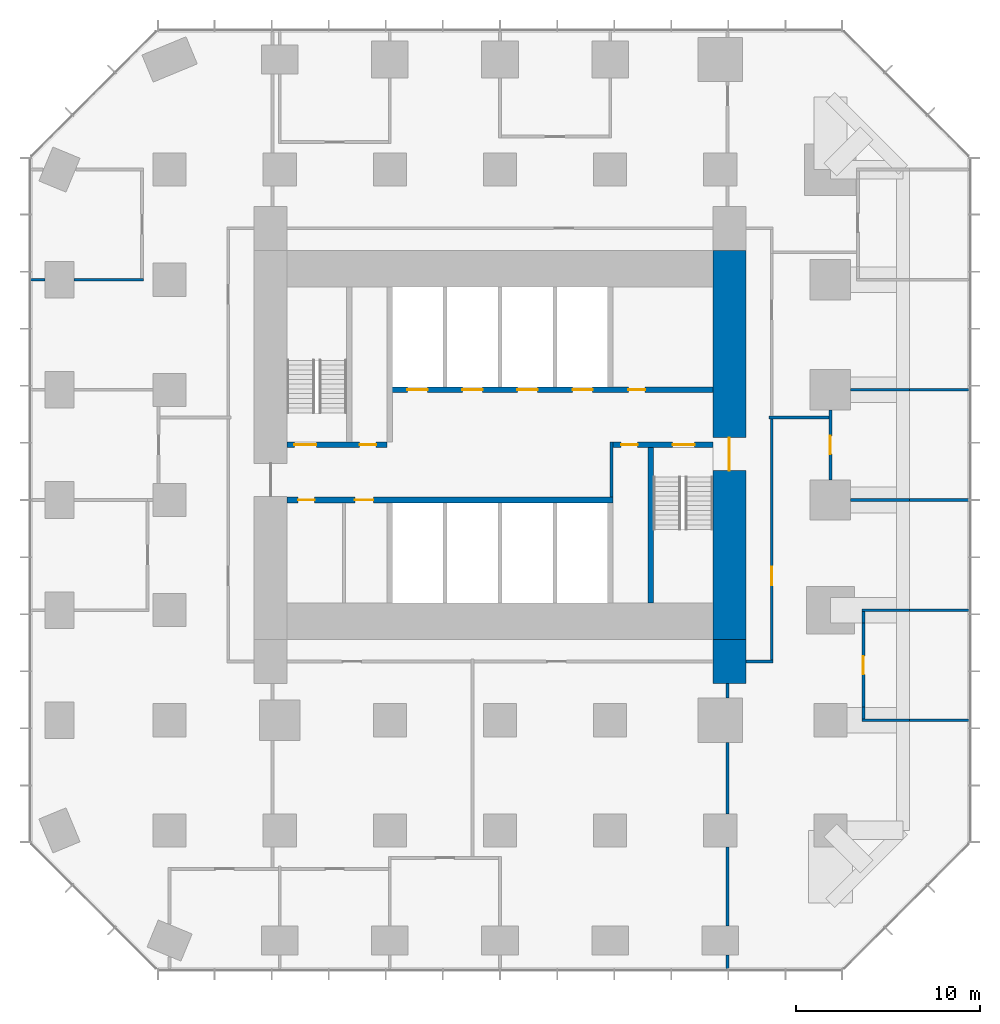
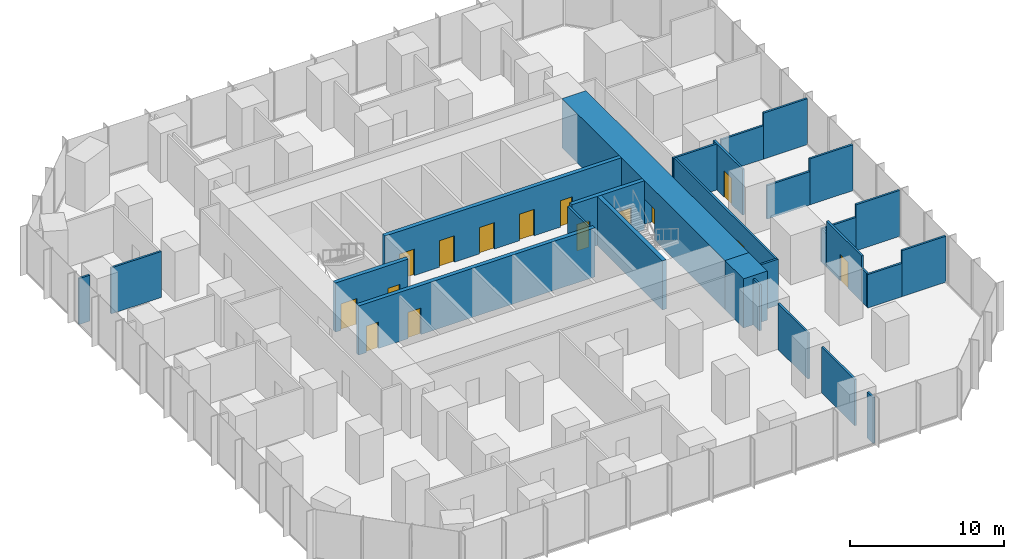
# One storey, part 9 of 12: 29 walls, 15 doors, 15 openings.
"""IFC4 building model written with IfcOpenShell, lengths in metres."""

import ifcopenshell
import ifcopenshell.guid

model = None  # the IFC model being written
_history = None  # IfcOwnerHistory: only IFC2X3 demands one
_inside = {}  # id of a spatial element -> (the spatial element, [elements in it])
_under = {}  # id of a project, library or spatial element -> (it, [spatial elements below it])
_declared = {}  # id of a project -> (the project, [libraries it declares])
_typed = {}  # id of a type object -> (the type object, [elements of that type])
_made_of = {}  # id of a material, layer set ... -> (it, [elements and type objects made of it])


def new_model(schema):
    """Start an empty IFC model of exactly this schema.

    Asked for "IFC4X3", IfcOpenShell would pick the latest addendum, in which some entities
    have other attributes; the version numbers below select the first issue.
    IFC2X3 requires an IfcOwnerHistory on every rooted entity: one is made here for all.
    """
    global model, _history
    if schema == "IFC4X3":
        model = ifcopenshell.file(schema_version=(4, 3, 0, 0))
    else:
        model = ifcopenshell.file(schema=schema)
    _inside.clear()
    _under.clear()
    _declared.clear()
    _typed.clear()
    _made_of.clear()
    _history = None
    if model.schema == "IFC2X3":
        org = make("IfcOrganization", Name="unknown")
        user = make(
            "IfcPersonAndOrganization",
            ThePerson=make("IfcPerson", FamilyName="unknown"),
            TheOrganization=org,
        )
        app = make(
            "IfcApplication",
            ApplicationDeveloper=org,
            Version="unknown",
            ApplicationFullName="unknown",
            ApplicationIdentifier="unknown",
        )
        _history = make(
            "IfcOwnerHistory",
            OwningUser=user,
            OwningApplication=app,
            ChangeAction="ADDED",
            CreationDate=0,
        )
    return model


def make(cls, **values):
    """One entity of the class cls with the attributes given. An attribute that is None is left unset."""
    return model.create_entity(
        cls, **{name: value for name, value in values.items() if value is not None}
    )


def rooted(cls, **values):
    """An entity with a GlobalId (a new one), such as an element, a storey or a relation."""
    return make(cls, GlobalId=ifcopenshell.guid.new(), OwnerHistory=_history, **values)


def si_unit(unit_type, name, prefix=None):
    """IfcSIUnit, for example si_unit("LENGTHUNIT", "METRE", prefix="MILLI")."""
    return make("IfcSIUnit", UnitType=unit_type, Prefix=prefix, Name=name)


def assignment(units):
    """IfcUnitAssignment: the units of a project."""
    return None if units is None else make("IfcUnitAssignment", Units=units)


def point(xyz):
    """IfcCartesianPoint."""
    return None if xyz is None else make("IfcCartesianPoint", Coordinates=xyz)


def direction(xyz):
    """IfcDirection."""
    return None if xyz is None else make("IfcDirection", DirectionRatios=xyz)


def frame(location, z_axis=None, x_axis=None):
    """IfcAxis2Placement3D, a coordinate frame: its origin and axes. An axis left out is left unset."""
    return make(
        "IfcAxis2Placement3D",
        Location=point(location),
        Axis=direction(z_axis),
        RefDirection=direction(x_axis),
    )


def frame_2d(location, x_axis=None):
    """IfcAxis2Placement2D, a coordinate frame in the plane: its origin and x axis."""
    return make(
        "IfcAxis2Placement2D", Location=point(location), RefDirection=direction(x_axis)
    )


def origin():
    """The frame at (0, 0, 0) with its axes left unset."""
    return frame((0.0, 0.0, 0.0))


def place(relative_to, where):
    """IfcLocalPlacement: puts the frame where relative to a parent placement (None: the world)."""
    return make(
        "IfcLocalPlacement", PlacementRelTo=relative_to, RelativePlacement=where
    )


def context(
    kind, dimensions, precision=None, world=None, true_north=None, identifier=None
):
    """IfcGeometricRepresentationContext, for example the 3D "Model" context."""
    return make(
        "IfcGeometricRepresentationContext",
        ContextIdentifier=identifier,
        ContextType=kind,
        CoordinateSpaceDimension=dimensions,
        Precision=precision,
        WorldCoordinateSystem=world,
        TrueNorth=true_north,
    )


def subcontext(parent, identifier, kind, view, scale=None):
    """IfcGeometricRepresentationSubContext, for example "Body" below "Model"."""
    return make(
        "IfcGeometricRepresentationSubContext",
        ContextIdentifier=identifier,
        ContextType=kind,
        ParentContext=parent,
        TargetScale=scale,
        TargetView=view,
    )


def project(units=None, contexts=None):
    """IfcProject with its units and contexts."""
    return rooted(
        "IfcProject",
        Name="project",
        RepresentationContexts=contexts,
        UnitsInContext=assignment(units),
    )


def spatial(cls, under=None, at=None, **own):
    """A site, building, storey or space (cls), placed at a placement, below another one or the project."""
    s = rooted(cls, ObjectPlacement=at, **own)
    if under is not None:
        _under.setdefault(under.id(), (under, []))[1].append(s)
    return s


def profile(cls, at=None, kind="AREA", **sizes):
    """A parametric profile (cls). Its sizes go by their IFC names, for example OverallWidth=200.0."""
    return make(cls, ProfileType=kind, Position=at, **sizes)


def rectangle(**sizes):
    """IfcRectangleProfileDef."""
    return profile("IfcRectangleProfileDef", **sizes)


def extrude(swept, where, along, depth):
    """IfcExtrudedAreaSolid: the profile swept, set in the frame where, extruded along a direction by depth."""
    return make(
        "IfcExtrudedAreaSolid",
        SweptArea=swept,
        Position=where,
        ExtrudedDirection=direction(along),
        Depth=depth,
    )


def shape(context_of_items, identifier, shape_type, items):
    """IfcShapeRepresentation: the items that make up one representation, for example the "Body"."""
    return make(
        "IfcShapeRepresentation",
        ContextOfItems=context_of_items,
        RepresentationIdentifier=identifier,
        RepresentationType=shape_type,
        Items=items,
    )


def material(Name=None, Category=None):
    """IfcMaterial."""
    return make("IfcMaterial", Name=Name, Category=Category)


def layer(
    of_material, thickness, ventilated=None, Name=None, Category=None, Priority=None
):
    """IfcMaterialLayer: one layer of a wall or slab, of a material (None: an air gap)."""
    return make(
        "IfcMaterialLayer",
        Material=of_material,
        LayerThickness=thickness,
        IsVentilated=ventilated,
        Name=Name,
        Category=Category,
        Priority=Priority,
    )


def layer_set(layers, Name=None):
    """IfcMaterialLayerSet."""
    return make("IfcMaterialLayerSet", MaterialLayers=layers, LayerSetName=Name)


def made_of(thing, what):
    """Note that an element or type object is made of a material, layer set ...; save() writes the relation."""
    if what is not None:
        _made_of.setdefault(what.id(), (what, []))[1].append(thing)
    return thing


def type_object(cls, material=None, **own):
    """A type object (cls), such as IfcWallType, which elements share."""
    return made_of(rooted(cls, **own), material)


def element(
    cls,
    number,
    at=None,
    inside=None,
    cuts=None,
    type_object=None,
    material=None,
    context=None,
    identifier="Body",
    shape_type=None,
    held_by="IfcProductDefinitionShape",
    body=None,
    shapes=None,
    **own,
):
    """One element of the class cls, such as IfcWall. Its Tag is "e" and its number.

    at: its placement. inside: the storey or other place that contains it. cuts: it is an
    opening in that element (IfcRelVoidsElement). A single representation is given by context,
    identifier, shape_type and body (its items); several are given by shapes. held_by: the class
    of the entity that holds the representations. save() writes the other relations.
    """
    e = rooted(cls, Tag="e%d" % number, ObjectPlacement=at, **own)
    if body is not None:
        shapes = [shape(context, identifier, shape_type, body)]
    if shapes is not None:
        e.Representation = make(held_by, Representations=shapes)
    if inside is not None:
        _inside.setdefault(inside.id(), (inside, []))[1].append(e)
    if cuts is not None:
        rooted(
            "IfcRelVoidsElement", RelatingBuildingElement=cuts, RelatedOpeningElement=e
        )
    if type_object is not None:
        _typed.setdefault(type_object.id(), (type_object, []))[1].append(e)
    return made_of(e, material)


def fill(opening, filler):
    """IfcRelFillsElement: the door or window that sits in an opening."""
    return rooted(
        "IfcRelFillsElement",
        RelatingOpeningElement=opening,
        RelatedBuildingElement=filler,
    )


def aggregate(whole, parts):
    """IfcRelAggregates: a whole, such as a stair, and the parts it consists of."""
    return rooted("IfcRelAggregates", RelatingObject=whole, RelatedObjects=parts)


def save(model, path):
    """Write the relations noted so far, then the file.

    IfcRelAggregates (storeys below a building ...), IfcRelContainedInSpatialStructure (elements
    in a storey), IfcRelDefinesByType, IfcRelAssociatesMaterial and IfcRelDeclares: one each for
    every whole, place, type object, material and project.
    """
    for whole, parts in _under.values():
        aggregate(whole, parts)
    for where, things in _inside.values():
        rooted(
            "IfcRelContainedInSpatialStructure",
            RelatedElements=things,
            RelatingStructure=where,
        )
    for kind, things in _typed.values():
        rooted("IfcRelDefinesByType", RelatedObjects=things, RelatingType=kind)
    for what, things in _made_of.values():
        rooted("IfcRelAssociatesMaterial", RelatedObjects=things, RelatingMaterial=what)
    for by, libraries in _declared.values():
        rooted("IfcRelDeclares", RelatingContext=by, RelatedDefinitions=libraries)
    model.write(path)


model = new_model("IFC4")

# Units and contexts
model_context = context("Model", 3, precision=1e-05, world=origin(), true_north=direction((0.0, 1.0)))
body_context = subcontext(model_context, "Body", "Model", "MODEL_VIEW")
ifc_project = project(units=[si_unit("LENGTHUNIT", "METRE"), si_unit("AREAUNIT", "SQUARE_METRE"), si_unit("VOLUMEUNIT", "CUBIC_METRE"), si_unit("PLANEANGLEUNIT", "RADIAN"), si_unit("MASSUNIT", "GRAM", prefix="KILO")], contexts=[model_context])

# Site, building, storey
site_placement = place(None, origin())
site = spatial("IfcSite", under=ifc_project, at=site_placement, CompositionType="ELEMENT")
building_placement = place(site_placement, origin())
building = spatial("IfcBuilding", under=site, at=building_placement, Name="Highveld Stack Headquarters", CompositionType="ELEMENT")
storey_placement = place(building_placement, frame((0.0, 0.0, 45.5)))
storey = spatial("IfcBuildingStorey", under=building, at=storey_placement, Name="L10", CompositionType="ELEMENT", Elevation=45.5)

# Wall, opening, door
ifc_material_1 = material(Name="Concrete C60/75", Category="concrete")
ifc_layer_1 = layer(ifc_material_1, 1.800048828125)
ifc_layer_set_1 = layer_set([ifc_layer_1], Name="Concrete C60/75")
wall_type_1 = type_object("IfcWallType", Name="CORE WALL 1800 C60/75", PredefinedType="SHEAR", material=ifc_layer_set_1)
wall_1_placement = place(storey_placement, frame((18.5, -7.60009765625, 0.0), z_axis=(0.0, 0.0, 1.0), x_axis=(0.0, 1.0, 0.0)))
wall_1 = element("IfcWall", 1, at=wall_1_placement, inside=storey, type_object=wall_type_1, Name="Core wall E L10", PredefinedType="SHEAR", context=body_context, shape_type="SweptSolid", body=[
    extrude(rectangle(XDim=21.2001953125, YDim=1.800048828125, at=frame_2d((10.60009765625, 0.0))), origin(), (0.0, 0.0, 1.0), 3.89990234375),
])
opening_1_placement = place(wall_1_placement, frame((9.199951171875, 0.0, 0.0)))
opening_1 = element("IfcOpeningElement", 2, at=opening_1_placement, cuts=wall_1, Name="Opening L10-02", PredefinedType="OPENING", context=body_context, shape_type="SweptSolid", body=[
    extrude(rectangle(XDim=1.800048828125, YDim=2.39990234375, at=frame_2d((0.89990234375, 1.199951171875))), frame((0.0, 0.909912109375, 0.0), z_axis=(0.0, -1.0, 0.0), x_axis=(1.0, 0.0, 0.0)), (0.0, 0.0, 1.0), 1.820068359375),
])
ifc_material_2 = material(Name="Steel fire door", Category="steel")
door_type_1 = type_object("IfcDoorType", Name="LOBBY FIRE DOOR D4 1800x2400", OperationType="DOUBLE_DOOR_SINGLE_SWING", PredefinedType="DOOR", material=ifc_material_2)
door_1_placement = place(opening_1_placement, origin())
door_1 = element("IfcDoor", 3, at=door_1_placement, inside=storey, type_object=door_type_1, Name="Core east door L10", OperationType="DOUBLE_DOOR_SINGLE_SWING", OverallHeight=2.39990234375, OverallWidth=1.800048828125, PredefinedType="DOOR", context=body_context, shape_type="SweptSolid", body=[
    extrude(rectangle(XDim=1.800048828125, YDim=2.39990234375, at=frame_2d((0.89990234375, 1.199951171875))), frame((0.0, 0.02490234375, 0.0), z_axis=(0.0, -1.0, 0.0), x_axis=(1.0, 0.0, 0.0)), (0.0, 0.0, 1.0), 0.050048828125),
])
fill(opening_1, door_1)

# Wall, openings, doors
ifc_material_3 = material(Name="Concrete C60/75", Category="concrete")
ifc_layer_2 = layer(ifc_material_3, 0.300048828125)
ifc_layer_set_2 = layer_set([ifc_layer_2], Name="Concrete C60/75")
wall_type_2 = type_object("IfcWallType", Name="CORE WALL 300 C60/75", PredefinedType="SHEAR", material=ifc_layer_set_2)
wall_2_placement = place(storey_placement, frame((-5.60009765625, 0.0, 0.0), z_axis=(0.0, 0.0, 1.0), x_axis=(1.0, 0.0, 0.0)))
wall_2 = element("IfcWall", 4, at=wall_2_placement, inside=storey, type_object=wall_type_2, Name="Core wall I-Y0 L10", PredefinedType="SHEAR", context=body_context, shape_type="SweptSolid", body=[
    extrude(rectangle(XDim=17.75, YDim=0.300048828125, at=frame_2d((8.875, 0.0))), origin(), (0.0, 0.0, 1.0), 3.89990234375),
])
opening_2_placement = place(wall_2_placement, frame((0.60009765625, 0.0, 0.0)))
opening_2 = element("IfcOpeningElement", 5, at=opening_2_placement, cuts=wall_2, Name="Opening L10-07", PredefinedType="OPENING", context=body_context, shape_type="SweptSolid", body=[
    extrude(rectangle(XDim=0.89990234375, YDim=2.10009765625, at=frame_2d((0.449951171875, 1.050048828125))), frame((0.0, 0.159912109375, 0.0), z_axis=(0.0, -1.0, 0.0), x_axis=(1.0, 0.0, 0.0)), (0.0, 0.0, 1.0), 0.320068359375),
])
opening_3_placement = place(wall_2_placement, frame((3.699951171875, 0.0, 0.0)))
opening_3 = element("IfcOpeningElement", 6, at=opening_3_placement, cuts=wall_2, Name="Opening L10-08", PredefinedType="OPENING", context=body_context, shape_type="SweptSolid", body=[
    extrude(rectangle(XDim=1.0, YDim=2.10009765625, at=frame_2d((0.5, 1.050048828125))), frame((0.0, 0.159912109375, 0.0), z_axis=(0.0, -1.0, 0.0), x_axis=(1.0, 0.0, 0.0)), (0.0, 0.0, 1.0), 0.320068359375),
])
ifc_material_4 = material(Name="Timber door, painted", Category="wood")
door_type_2 = type_object("IfcDoorType", Name="ACCESSIBLE WC DOOR D2 1000x2100", OperationType="SINGLE_SWING_RIGHT", PredefinedType="DOOR", material=ifc_material_4)
door_2_placement = place(opening_3_placement, origin())
door_2 = element("IfcDoor", 7, at=door_2_placement, inside=storey, type_object=door_type_2, Name="Accessible WC door L10", OperationType="SINGLE_SWING_LEFT", OverallHeight=2.10009765625, OverallWidth=1.0, PredefinedType="DOOR", context=body_context, shape_type="SweptSolid", body=[
    extrude(rectangle(XDim=1.0, YDim=2.10009765625, at=frame_2d((0.5, 1.050048828125))), frame((0.0, 0.02490234375, 0.0), z_axis=(0.0, -1.0, 0.0), x_axis=(1.0, 0.0, 0.0)), (0.0, 0.0, 1.0), 0.050048828125),
])
fill(opening_3, door_2)
ifc_material_5 = material(Name="Timber door, painted", Category="wood")
door_type_3 = type_object("IfcDoorType", Name="WC DOOR D1 900x2100", OperationType="SINGLE_SWING_LEFT", PredefinedType="DOOR", material=ifc_material_5)
door_3_placement = place(opening_2_placement, origin())
door_3 = element("IfcDoor", 8, at=door_3_placement, inside=storey, type_object=door_type_3, Name="Female WC door L10", OperationType="SINGLE_SWING_LEFT", OverallHeight=2.10009765625, OverallWidth=0.89990234375, PredefinedType="DOOR", context=body_context, shape_type="SweptSolid", body=[
    extrude(rectangle(XDim=0.89990234375, YDim=2.10009765625, at=frame_2d((0.449951171875, 1.050048828125))), frame((0.0, 0.02490234375, 0.0), z_axis=(0.0, -1.0, 0.0), x_axis=(1.0, 0.0, 0.0)), (0.0, 0.0, 1.0), 0.050048828125),
])
fill(opening_2, door_3)

wall_3_placement = place(storey_placement, frame((-5.60009765625, 3.0, 0.0), z_axis=(0.0, 0.0, 1.0), x_axis=(1.0, 0.0, 0.0)))
wall_3 = element("IfcWall", 9, at=wall_3_placement, inside=storey, type_object=wall_type_2, Name="Core wall I-Y3W L10", PredefinedType="SHEAR", context=body_context, shape_type="SweptSolid", body=[
    extrude(rectangle(XDim=5.4501953125, YDim=0.300048828125, at=frame_2d((2.72509765625, 0.0))), origin(), (0.0, 0.0, 1.0), 3.89990234375),
])
opening_4_placement = place(wall_3_placement, frame((0.39990234375, 0.0, 0.0)))
opening_4 = element("IfcOpeningElement", 10, at=opening_4_placement, cuts=wall_3, Name="Opening L10-03", PredefinedType="OPENING", context=body_context, shape_type="SweptSolid", body=[
    extrude(rectangle(XDim=1.199951171875, YDim=2.10009765625, at=frame_2d((0.60009765625, 1.050048828125))), frame((0.0, 0.159912109375, 0.0), z_axis=(0.0, -1.0, 0.0), x_axis=(1.0, 0.0, 0.0)), (0.0, 0.0, 1.0), 0.320068359375),
])
opening_5_placement = place(wall_3_placement, frame((3.949951171875, 0.0, 0.0)))
opening_5 = element("IfcOpeningElement", 11, at=opening_5_placement, cuts=wall_3, Name="Opening L10-04", PredefinedType="OPENING", context=body_context, shape_type="SweptSolid", body=[
    extrude(rectangle(XDim=0.89990234375, YDim=2.10009765625, at=frame_2d((0.449951171875, 1.050048828125))), frame((0.0, 0.159912109375, 0.0), z_axis=(0.0, -1.0, 0.0), x_axis=(1.0, 0.0, 0.0)), (0.0, 0.0, 1.0), 0.320068359375),
])
ifc_material_6 = material(Name="Steel fire door", Category="steel")
door_type_4 = type_object("IfcDoorType", Name="RISER ACCESS DOOR D5 900x2100", OperationType="SINGLE_SWING_LEFT", PredefinedType="DOOR", material=ifc_material_6)
door_4_placement = place(opening_5_placement, origin())
door_4 = element("IfcDoor", 12, at=door_4_placement, inside=storey, type_object=door_type_4, Name="Riser R1 door L10", OperationType="SINGLE_SWING_RIGHT", OverallHeight=2.10009765625, OverallWidth=0.89990234375, PredefinedType="DOOR", context=body_context, shape_type="SweptSolid", body=[
    extrude(rectangle(XDim=0.89990234375, YDim=2.10009765625, at=frame_2d((0.449951171875, 1.050048828125))), frame((0.0, 0.02490234375, 0.0), z_axis=(0.0, -1.0, 0.0), x_axis=(1.0, 0.0, 0.0)), (0.0, 0.0, 1.0), 0.050048828125),
])
fill(opening_5, door_4)
ifc_material_7 = material(Name="Steel fire door", Category="steel")
door_type_5 = type_object("IfcDoorType", Name="STAIR FIRE DOOR D3 1200x2100", OperationType="SINGLE_SWING_LEFT", PredefinedType="DOOR", material=ifc_material_7)
door_5_placement = place(opening_4_placement, origin())
door_5 = element("IfcDoor", 13, at=door_5_placement, inside=storey, type_object=door_type_5, Name="Stair S1 door L10", OperationType="SINGLE_SWING_LEFT", OverallHeight=2.10009765625, OverallWidth=1.199951171875, PredefinedType="DOOR", context=body_context, shape_type="SweptSolid", body=[
    extrude(rectangle(XDim=1.199951171875, YDim=2.10009765625, at=frame_2d((0.60009765625, 1.050048828125))), frame((0.0, 0.02490234375, 0.0), z_axis=(0.0, -1.0, 0.0), x_axis=(1.0, 0.0, 0.0)), (0.0, 0.0, 1.0), 0.050048828125),
])
fill(opening_4, door_5)

wall_4_placement = place(storey_placement, frame((12.14990234375, 3.0, 0.0), z_axis=(0.0, 0.0, 1.0), x_axis=(1.0, 0.0, 0.0)))
wall_4 = element("IfcWall", 14, at=wall_4_placement, inside=storey, type_object=wall_type_2, Name="Core wall I-Y3E L10", PredefinedType="SHEAR", context=body_context, shape_type="SweptSolid", body=[
    extrude(rectangle(XDim=5.4501953125, YDim=0.300048828125, at=frame_2d((2.72509765625, 0.0))), origin(), (0.0, 0.0, 1.0), 3.89990234375),
])
opening_6_placement = place(wall_4_placement, frame((3.25, 0.0, 0.0)))
opening_6 = element("IfcOpeningElement", 15, at=opening_6_placement, cuts=wall_4, Name="Opening L10-05", PredefinedType="OPENING", context=body_context, shape_type="SweptSolid", body=[
    extrude(rectangle(XDim=1.199951171875, YDim=2.10009765625, at=frame_2d((0.60009765625, 1.050048828125))), frame((0.0, 0.159912109375, 0.0), z_axis=(0.0, -1.0, 0.0), x_axis=(1.0, 0.0, 0.0)), (0.0, 0.0, 1.0), 0.320068359375),
])
opening_7_placement = place(wall_4_placement, frame((0.449951171875, 0.0, 0.0)))
opening_7 = element("IfcOpeningElement", 16, at=opening_7_placement, cuts=wall_4, Name="Opening L10-06", PredefinedType="OPENING", context=body_context, shape_type="SweptSolid", body=[
    extrude(rectangle(XDim=0.89990234375, YDim=2.10009765625, at=frame_2d((0.449951171875, 1.050048828125))), frame((0.0, 0.159912109375, 0.0), z_axis=(0.0, -1.0, 0.0), x_axis=(1.0, 0.0, 0.0)), (0.0, 0.0, 1.0), 0.320068359375),
])
door_6_placement = place(opening_7_placement, origin())
door_6 = element("IfcDoor", 17, at=door_6_placement, inside=storey, type_object=door_type_4, Name="Riser R2 door L10", OperationType="SINGLE_SWING_LEFT", OverallHeight=2.10009765625, OverallWidth=0.89990234375, PredefinedType="DOOR", context=body_context, shape_type="SweptSolid", body=[
    extrude(rectangle(XDim=0.89990234375, YDim=2.10009765625, at=frame_2d((0.449951171875, 1.050048828125))), frame((0.0, 0.02490234375, 0.0), z_axis=(0.0, -1.0, 0.0), x_axis=(1.0, 0.0, 0.0)), (0.0, 0.0, 1.0), 0.050048828125),
])
fill(opening_7, door_6)
door_7_placement = place(opening_6_placement, origin())
door_7 = element("IfcDoor", 18, at=door_7_placement, inside=storey, type_object=door_type_5, Name="Stair S2 door L10", OperationType="SINGLE_SWING_RIGHT", OverallHeight=2.10009765625, OverallWidth=1.199951171875, PredefinedType="DOOR", context=body_context, shape_type="SweptSolid", body=[
    extrude(rectangle(XDim=1.199951171875, YDim=2.10009765625, at=frame_2d((0.60009765625, 1.050048828125))), frame((0.0, 0.02490234375, 0.0), z_axis=(0.0, -1.0, 0.0), x_axis=(1.0, 0.0, 0.0)), (0.0, 0.0, 1.0), 0.050048828125),
])
fill(opening_6, door_7)

wall_5_placement = place(storey_placement, frame((-0.14990234375, 6.0, 0.0), z_axis=(0.0, 0.0, 1.0), x_axis=(1.0, 0.0, 0.0)))
wall_5 = element("IfcWall", 19, at=wall_5_placement, inside=storey, type_object=wall_type_2, Name="Core wall I-Y6 L10", PredefinedType="SHEAR", context=body_context, shape_type="SweptSolid", body=[
    extrude(rectangle(XDim=17.75, YDim=0.300048828125, at=frame_2d((8.875, 0.0))), origin(), (0.0, 0.0, 1.0), 3.89990234375),
])
opening_8_placement = place(wall_5_placement, frame((13.14990234375, 0.0, 0.0)))
opening_8 = element("IfcOpeningElement", 20, at=opening_8_placement, cuts=wall_5, Name="Opening L10-09", PredefinedType="OPENING", context=body_context, shape_type="SweptSolid", body=[
    extrude(rectangle(XDim=0.89990234375, YDim=2.10009765625, at=frame_2d((0.449951171875, 1.050048828125))), frame((0.0, 0.159912109375, 0.0), z_axis=(0.0, -1.0, 0.0), x_axis=(1.0, 0.0, 0.0)), (0.0, 0.0, 1.0), 0.320068359375),
])
opening_9_placement = place(wall_5_placement, frame((1.10009765625, 0.0, 0.0)))
opening_9 = element("IfcOpeningElement", 21, at=opening_9_placement, cuts=wall_5, Name="Opening LD", PredefinedType="OPENING", context=body_context, shape_type="SweptSolid", body=[
    extrude(rectangle(XDim=1.10009765625, YDim=2.10009765625, at=frame_2d((0.550048828125, 1.050048828125))), frame((0.0, 0.159912109375, 0.0), z_axis=(0.0, -1.0, 0.0), x_axis=(1.0, 0.0, 0.0)), (0.0, 0.0, 1.0), 0.320068359375),
])
opening_10_placement = place(wall_5_placement, frame((4.10009765625, 0.0, 0.0)))
opening_10 = element("IfcOpeningElement", 22, at=opening_10_placement, cuts=wall_5, Name="Opening LD", PredefinedType="OPENING", context=body_context, shape_type="SweptSolid", body=[
    extrude(rectangle(XDim=1.10009765625, YDim=2.10009765625, at=frame_2d((0.550048828125, 1.050048828125))), frame((0.0, 0.159912109375, 0.0), z_axis=(0.0, -1.0, 0.0), x_axis=(1.0, 0.0, 0.0)), (0.0, 0.0, 1.0), 0.320068359375),
])
opening_11_placement = place(wall_5_placement, frame((7.10009765625, 0.0, 0.0)))
opening_11 = element("IfcOpeningElement", 23, at=opening_11_placement, cuts=wall_5, Name="Opening LD", PredefinedType="OPENING", context=body_context, shape_type="SweptSolid", body=[
    extrude(rectangle(XDim=1.10009765625, YDim=2.10009765625, at=frame_2d((0.550048828125, 1.050048828125))), frame((0.0, 0.159912109375, 0.0), z_axis=(0.0, -1.0, 0.0), x_axis=(1.0, 0.0, 0.0)), (0.0, 0.0, 1.0), 0.320068359375),
])
opening_12_placement = place(wall_5_placement, frame((10.10009765625, 0.0, 0.0)))
opening_12 = element("IfcOpeningElement", 24, at=opening_12_placement, cuts=wall_5, Name="Opening LD", PredefinedType="OPENING", context=body_context, shape_type="SweptSolid", body=[
    extrude(rectangle(XDim=1.10009765625, YDim=2.10009765625, at=frame_2d((0.550048828125, 1.050048828125))), frame((0.0, 0.159912109375, 0.0), z_axis=(0.0, -1.0, 0.0), x_axis=(1.0, 0.0, 0.0)), (0.0, 0.0, 1.0), 0.320068359375),
])
ifc_material_8 = material(Name="Stainless steel lift landing door", Category="steel")
door_type_6 = type_object("IfcDoorType", Name="LIFT LANDING DOOR LD 1100x2100", OperationType="DOUBLE_DOOR_SLIDING", PredefinedType="USERDEFINED", material=ifc_material_8)
door_8_placement = place(opening_9_placement, origin())
door_8 = element("IfcDoor", 25, at=door_8_placement, inside=storey, type_object=door_type_6, Name="Lift landing door FF1 L10", ObjectType="LIFT LANDING DOOR", OperationType="DOUBLE_DOOR_SLIDING", OverallHeight=2.10009765625, OverallWidth=1.10009765625, PredefinedType="USERDEFINED", context=body_context, shape_type="SweptSolid", body=[
    extrude(rectangle(XDim=1.10009765625, YDim=2.10009765625, at=frame_2d((0.550048828125, 1.050048828125))), frame((0.0, 0.02490234375, 0.0), z_axis=(0.0, -1.0, 0.0), x_axis=(1.0, 0.0, 0.0)), (0.0, 0.0, 1.0), 0.050048828125),
])
fill(opening_9, door_8)
door_9_placement = place(opening_10_placement, origin())
door_9 = element("IfcDoor", 26, at=door_9_placement, inside=storey, type_object=door_type_6, Name="Lift landing door FF2 L10", ObjectType="LIFT LANDING DOOR", OperationType="DOUBLE_DOOR_SLIDING", OverallHeight=2.10009765625, OverallWidth=1.10009765625, PredefinedType="USERDEFINED", context=body_context, shape_type="SweptSolid", body=[
    extrude(rectangle(XDim=1.10009765625, YDim=2.10009765625, at=frame_2d((0.550048828125, 1.050048828125))), frame((0.0, 0.02490234375, 0.0), z_axis=(0.0, -1.0, 0.0), x_axis=(1.0, 0.0, 0.0)), (0.0, 0.0, 1.0), 0.050048828125),
])
fill(opening_10, door_9)
door_10_placement = place(opening_11_placement, origin())
door_10 = element("IfcDoor", 27, at=door_10_placement, inside=storey, type_object=door_type_6, Name="Lift landing door A1 L10", ObjectType="LIFT LANDING DOOR", OperationType="DOUBLE_DOOR_SLIDING", OverallHeight=2.10009765625, OverallWidth=1.10009765625, PredefinedType="USERDEFINED", context=body_context, shape_type="SweptSolid", body=[
    extrude(rectangle(XDim=1.10009765625, YDim=2.10009765625, at=frame_2d((0.550048828125, 1.050048828125))), frame((0.0, 0.02490234375, 0.0), z_axis=(0.0, -1.0, 0.0), x_axis=(1.0, 0.0, 0.0)), (0.0, 0.0, 1.0), 0.050048828125),
])
fill(opening_11, door_10)
door_11_placement = place(opening_12_placement, origin())
door_11 = element("IfcDoor", 28, at=door_11_placement, inside=storey, type_object=door_type_6, Name="Lift landing door A2 L10", ObjectType="LIFT LANDING DOOR", OperationType="DOUBLE_DOOR_SLIDING", OverallHeight=2.10009765625, OverallWidth=1.10009765625, PredefinedType="USERDEFINED", context=body_context, shape_type="SweptSolid", body=[
    extrude(rectangle(XDim=1.10009765625, YDim=2.10009765625, at=frame_2d((0.550048828125, 1.050048828125))), frame((0.0, 0.02490234375, 0.0), z_axis=(0.0, -1.0, 0.0), x_axis=(1.0, 0.0, 0.0)), (0.0, 0.0, 1.0), 0.050048828125),
])
fill(opening_12, door_11)
door_12_placement = place(opening_8_placement, origin())
door_12 = element("IfcDoor", 29, at=door_12_placement, inside=storey, type_object=door_type_3, Name="Male WC door L10", OperationType="SINGLE_SWING_RIGHT", OverallHeight=2.10009765625, OverallWidth=0.89990234375, PredefinedType="DOOR", context=body_context, shape_type="SweptSolid", body=[
    extrude(rectangle(XDim=0.89990234375, YDim=2.10009765625, at=frame_2d((0.449951171875, 1.050048828125))), frame((0.0, 0.02490234375, 0.0), z_axis=(0.0, -1.0, 0.0), x_axis=(1.0, 0.0, 0.0)), (0.0, 0.0, 1.0), 0.050048828125),
])
fill(opening_8, door_12)

# Walls
wall_6_placement = place(storey_placement, frame((14.199951171875, -5.60009765625, 0.0), z_axis=(0.0, 0.0, 1.0), x_axis=(0.0, 1.0, 0.0)))
element("IfcWall", 30, at=wall_6_placement, inside=storey, type_object=wall_type_2, Name="Core wall I-RE L10", PredefinedType="SHEAR", context=body_context, shape_type="SweptSolid", body=[
    extrude(rectangle(XDim=8.4501953125, YDim=0.300048828125, at=frame_2d((4.22509765625, 0.0))), origin(), (0.0, 0.0, 1.0), 3.89990234375),
])
ifc_material_9 = material(Name="Concrete C60/75", Category="concrete")
ifc_layer_3 = layer(ifc_material_9, 1.800048828125)
ifc_layer_set_3 = layer_set([ifc_layer_3], Name="Concrete C60/75")
wall_type_3 = type_object("IfcWallType", Name="CORE WING WALL 1800 C60/75", PredefinedType="SHEAR", material=ifc_layer_set_3)
wall_7_placement = place(storey_placement, frame((18.5, -10.0, 0.0), z_axis=(0.0, 0.0, 1.0), x_axis=(0.0, 1.0, 0.0)))
element("IfcWall", 31, at=wall_7_placement, inside=storey, type_object=wall_type_3, Name="Core wing wall ES L10", PredefinedType="SHEAR", context=body_context, shape_type="SweptSolid", body=[
    extrude(rectangle(XDim=2.39990234375, YDim=1.800048828125, at=frame_2d((1.199951171875, 0.0))), origin(), (0.0, 0.0, 1.0), 3.89990234375),
])
ifc_material_10 = material(Name="Concrete blockwork, plastered", Category="masonry")
ifc_layer_4 = layer(ifc_material_10, 0.14990234375)
ifc_layer_set_4 = layer_set([ifc_layer_4], Name="Concrete blockwork, plastered")
wall_type_4 = type_object("IfcWallType", Name="FIRE PARTITION 150 BLOCKWORK", PredefinedType="PARTITIONING", material=ifc_layer_set_4)
wall_8_placement = place(storey_placement, frame((12.074951171875, 0.14990234375, 0.0), z_axis=(0.0, 0.0, 1.0), x_axis=(0.0, 1.0, 0.0)))
element("IfcWall", 32, at=wall_8_placement, inside=storey, type_object=wall_type_4, Name="Riser R2 enclosure L10", PredefinedType="PARTITIONING", context=body_context, shape_type="SweptSolid", body=[
    extrude(rectangle(XDim=3.0, YDim=0.14990234375, at=frame_2d((1.5, 0.0))), origin(), (0.0, 0.0, 1.0), 3.64990234375),
])

# Wall, opening, door
ifc_material_11 = material(Name="Laminated glass in aluminium frame", Category="aluminium")
ifc_layer_5 = layer(ifc_material_11, 0.14990234375)
ifc_layer_set_5 = layer_set([ifc_layer_5], Name="Laminated glass in aluminium frame")
wall_type_5 = type_object("IfcWallType", Name="GLAZED PARTITION 150", PredefinedType="PARTITIONING", material=ifc_layer_set_5)
wall_9_placement = place(storey_placement, frame((24.0, 1.10009765625, 0.0), z_axis=(0.0, 0.0, 1.0), x_axis=(0.0, 1.0, 0.0)))
wall_9 = element("IfcWall", 33, at=wall_9_placement, inside=storey, type_object=wall_type_5, Name="Glazed partition Meeting room L10", PredefinedType="PARTITIONING", context=body_context, shape_type="SweptSolid", body=[
    extrude(rectangle(XDim=3.7998046875, YDim=0.14990234375, at=frame_2d((1.89990234375, 0.0))), origin(), (0.0, 0.0, 1.0), 3.64990234375),
])
opening_13_placement = place(wall_9_placement, frame((1.39990234375, 0.0, 0.0)))
opening_13 = element("IfcOpeningElement", 34, at=opening_13_placement, cuts=wall_9, Name="Opening L10-17", PredefinedType="OPENING", context=body_context, shape_type="SweptSolid", body=[
    extrude(rectangle(XDim=1.0, YDim=2.10009765625, at=frame_2d((0.5, 1.050048828125))), frame((0.0, 0.0849609375, 0.0), z_axis=(0.0, -1.0, 0.0), x_axis=(1.0, 0.0, 0.0)), (0.0, 0.0, 1.0), 0.169921875),
])
ifc_material_12 = material(Name="Timber door, oiled ash", Category="wood")
door_type_7 = type_object("IfcDoorType", Name="ROOM DOOR D6 1000x2100", OperationType="SINGLE_SWING_LEFT", PredefinedType="DOOR", material=ifc_material_12)
door_13_placement = place(opening_13_placement, origin())
door_13 = element("IfcDoor", 35, at=door_13_placement, inside=storey, type_object=door_type_7, Name="Meeting room door 1 L10", OperationType="SINGLE_SWING_LEFT", OverallHeight=2.10009765625, OverallWidth=1.0, PredefinedType="DOOR", context=body_context, shape_type="SweptSolid", body=[
    extrude(rectangle(XDim=1.0, YDim=2.10009765625, at=frame_2d((0.5, 1.050048828125))), frame((0.0, 0.02490234375, 0.0), z_axis=(0.0, -1.0, 0.0), x_axis=(1.0, 0.0, 0.0)), (0.0, 0.0, 1.0), 0.050048828125),
])
fill(opening_13, door_13)

# Walls
ifc_material_13 = material(Name="Gypsum plasterboard on steel studs", Category="steel")
ifc_layer_6 = layer(ifc_material_13, 0.14990234375)
ifc_layer_set_6 = layer_set([ifc_layer_6], Name="Gypsum plasterboard on steel studs")
wall_type_6 = type_object("IfcWallType", Name="PARTITION 150 PLASTERBOARD", PredefinedType="PARTITIONING", material=ifc_layer_set_6)
wall_10_placement = place(storey_placement, frame((25.72509765625, -12.0, 0.0), z_axis=(0.0, 0.0, 1.0), x_axis=(1.0, 0.0, 0.0)))
element("IfcWall", 36, at=wall_10_placement, inside=storey, type_object=wall_type_6, Name="Partition Print room L10", PredefinedType="PARTITIONING", context=body_context, shape_type="SweptSolid", body=[
    extrude(rectangle(XDim=2.5849609375, YDim=0.14990234375, at=frame_2d((1.29248046875, 0.0))), origin(), (0.0, 0.0, 1.0), 2.64990234375),
])
wall_11_placement = place(storey_placement, frame((28.31005859375, -12.0, 0.0), z_axis=(0.0, 0.0, 1.0), x_axis=(1.0, 0.0, 0.0)))
element("IfcWall", 37, at=wall_11_placement, inside=storey, type_object=wall_type_6, Name="Partition Print room L10", PredefinedType="PARTITIONING", context=body_context, shape_type="SweptSolid", body=[
    extrude(rectangle(XDim=3.2900390625, YDim=0.14990234375, at=frame_2d((1.64501953125, 0.0))), origin(), (0.0, 0.0, 1.0), 3.64990234375),
])
wall_12_placement = place(storey_placement, frame((25.72509765625, -6.0, 0.0), z_axis=(0.0, 0.0, 1.0), x_axis=(1.0, 0.0, 0.0)))
element("IfcWall", 38, at=wall_12_placement, inside=storey, type_object=wall_type_6, Name="Partition Print room L10", PredefinedType="PARTITIONING", context=body_context, shape_type="SweptSolid", body=[
    extrude(rectangle(XDim=2.5849609375, YDim=0.14990234375, at=frame_2d((1.29248046875, 0.0))), origin(), (0.0, 0.0, 1.0), 2.64990234375),
])
wall_13_placement = place(storey_placement, frame((28.31005859375, -6.0, 0.0), z_axis=(0.0, 0.0, 1.0), x_axis=(1.0, 0.0, 0.0)))
element("IfcWall", 39, at=wall_13_placement, inside=storey, type_object=wall_type_6, Name="Partition Print room L10", PredefinedType="PARTITIONING", context=body_context, shape_type="SweptSolid", body=[
    extrude(rectangle(XDim=3.2900390625, YDim=0.14990234375, at=frame_2d((1.64501953125, 0.0))), origin(), (0.0, 0.0, 1.0), 3.64990234375),
])
wall_14_placement = place(storey_placement, frame((25.10009765625, 0.0, 0.0), z_axis=(0.0, 0.0, 1.0), x_axis=(1.0, 0.0, 0.0)))
element("IfcWall", 40, at=wall_14_placement, inside=storey, type_object=wall_type_6, Name="Partition Meeting room L10", PredefinedType="PARTITIONING", context=body_context, shape_type="SweptSolid", body=[
    extrude(rectangle(XDim=3.2099609375, YDim=0.14990234375, at=frame_2d((1.60498046875, 0.0))), origin(), (0.0, 0.0, 1.0), 2.64990234375),
])
wall_15_placement = place(storey_placement, frame((28.31005859375, 0.0, 0.0), z_axis=(0.0, 0.0, 1.0), x_axis=(1.0, 0.0, 0.0)))
element("IfcWall", 41, at=wall_15_placement, inside=storey, type_object=wall_type_6, Name="Partition Meeting room L10", PredefinedType="PARTITIONING", context=body_context, shape_type="SweptSolid", body=[
    extrude(rectangle(XDim=3.239990234375, YDim=0.14990234375, at=frame_2d((1.6201171875, 0.0))), origin(), (0.0, 0.0, 1.0), 3.64990234375),
])
wall_16_placement = place(storey_placement, frame((25.10009765625, 6.0, 0.0), z_axis=(0.0, 0.0, 1.0), x_axis=(1.0, 0.0, 0.0)))
element("IfcWall", 42, at=wall_16_placement, inside=storey, type_object=wall_type_6, Name="Partition Meeting room L10", PredefinedType="PARTITIONING", context=body_context, shape_type="SweptSolid", body=[
    extrude(rectangle(XDim=3.2099609375, YDim=0.14990234375, at=frame_2d((1.60498046875, 0.0))), origin(), (0.0, 0.0, 1.0), 2.64990234375),
])
wall_17_placement = place(storey_placement, frame((28.31005859375, 6.0, 0.0), z_axis=(0.0, 0.0, 1.0), x_axis=(1.0, 0.0, 0.0)))
element("IfcWall", 43, at=wall_17_placement, inside=storey, type_object=wall_type_6, Name="Partition Meeting room L10", PredefinedType="PARTITIONING", context=body_context, shape_type="SweptSolid", body=[
    extrude(rectangle(XDim=3.2900390625, YDim=0.14990234375, at=frame_2d((1.64501953125, 0.0))), origin(), (0.0, 0.0, 1.0), 3.64990234375),
])
wall_18_placement = place(storey_placement, frame((-19.60009765625, 12.0, 0.0), z_axis=(0.0, 0.0, 1.0), x_axis=(1.0, 0.0, 0.0)))
element("IfcWall", 44, at=wall_18_placement, inside=storey, type_object=wall_type_6, Name="Partition Quiet room L10", PredefinedType="PARTITIONING", context=body_context, shape_type="SweptSolid", body=[
    extrude(rectangle(XDim=0.800048828125, YDim=0.14990234375, at=frame_2d((0.39990234375, 0.0))), origin(), (0.0, 0.0, 1.0), 3.64990234375),
])
wall_19_placement = place(storey_placement, frame((-17.199951171875, 12.0, 0.0), z_axis=(0.0, 0.0, 1.0), x_axis=(1.0, 0.0, 0.0)))
element("IfcWall", 45, at=wall_19_placement, inside=storey, type_object=wall_type_6, Name="Partition Quiet room L10", PredefinedType="PARTITIONING", context=body_context, shape_type="SweptSolid", body=[
    extrude(rectangle(XDim=3.77490234375, YDim=0.14990234375, at=frame_2d((1.887451171875, 0.0))), origin(), (0.0, 0.0, 1.0), 3.64990234375),
])
wall_20_placement = place(storey_placement, frame((25.800048828125, -11.925048828125, 0.0), z_axis=(0.0, 0.0, 1.0), x_axis=(0.0, 1.0, 0.0)))
element("IfcWall", 46, at=wall_20_placement, inside=storey, type_object=wall_type_6, Name="Partition Print room L10", PredefinedType="PARTITIONING", context=body_context, shape_type="SweptSolid", body=[
    extrude(rectangle(XDim=0.635009765625, YDim=0.14990234375, at=frame_2d((0.3173828125, 0.0))), origin(), (0.0, 0.0, 1.0), 2.64990234375),
])

# Wall, opening, door
wall_21_placement = place(storey_placement, frame((25.800048828125, -11.2900390625, 0.0), z_axis=(0.0, 0.0, 1.0), x_axis=(0.0, 1.0, 0.0)))
wall_21 = element("IfcWall", 47, at=wall_21_placement, inside=storey, type_object=wall_type_6, Name="Partition Print room L10", PredefinedType="PARTITIONING", context=body_context, shape_type="SweptSolid", body=[
    extrude(rectangle(XDim=4.580078125, YDim=0.14990234375, at=frame_2d((2.2900390625, 0.0))), origin(), (0.0, 0.0, 1.0), 3.64990234375),
])
opening_14_placement = place(wall_21_placement, frame((1.7900390625, 0.0, 0.0)))
opening_14 = element("IfcOpeningElement", 48, at=opening_14_placement, cuts=wall_21, Name="Opening L10-16", PredefinedType="OPENING", context=body_context, shape_type="SweptSolid", body=[
    extrude(rectangle(XDim=1.0, YDim=2.10009765625, at=frame_2d((0.5, 1.050048828125))), frame((0.0, 0.0849609375, 0.0), z_axis=(0.0, -1.0, 0.0), x_axis=(1.0, 0.0, 0.0)), (0.0, 0.0, 1.0), 0.169921875),
])
door_14_placement = place(opening_14_placement, origin())
door_14 = element("IfcDoor", 49, at=door_14_placement, inside=storey, type_object=door_type_7, Name="Print room door 1 L10", OperationType="SINGLE_SWING_LEFT", OverallHeight=2.10009765625, OverallWidth=1.0, PredefinedType="DOOR", context=body_context, shape_type="SweptSolid", body=[
    extrude(rectangle(XDim=1.0, YDim=2.10009765625, at=frame_2d((0.5, 1.050048828125))), frame((0.0, 0.02490234375, 0.0), z_axis=(0.0, -1.0, 0.0), x_axis=(1.0, 0.0, 0.0)), (0.0, 0.0, 1.0), 0.050048828125),
])
fill(opening_14, door_14)

# Walls
wall_22_placement = place(storey_placement, frame((25.800048828125, -6.7099609375, 0.0), z_axis=(0.0, 0.0, 1.0), x_axis=(0.0, 1.0, 0.0)))
element("IfcWall", 50, at=wall_22_placement, inside=storey, type_object=wall_type_6, Name="Partition Print room L10", PredefinedType="PARTITIONING", context=body_context, shape_type="SweptSolid", body=[
    extrude(rectangle(XDim=0.635009765625, YDim=0.14990234375, at=frame_2d((0.3173828125, 0.0))), origin(), (0.0, 0.0, 1.0), 2.64990234375),
])
wall_23_placement = place(storey_placement, frame((18.39990234375, -25.550048828125, 0.0), z_axis=(0.0, 0.0, 1.0), x_axis=(0.0, 1.0, 0.0)))
element("IfcWall", 51, at=wall_23_placement, inside=storey, type_object=wall_type_6, Name="Partition office neighbourhood L10", PredefinedType="PARTITIONING", context=body_context, shape_type="SweptSolid", body=[
    extrude(rectangle(XDim=0.75, YDim=0.14990234375, at=frame_2d((0.375, 0.0))), origin(), (0.0, 0.0, 1.0), 3.64990234375),
])
wall_24_placement = place(storey_placement, frame((18.39990234375, -23.199951171875, 0.0), z_axis=(0.0, 0.0, 1.0), x_axis=(0.0, 1.0, 0.0)))
element("IfcWall", 52, at=wall_24_placement, inside=storey, type_object=wall_type_6, Name="Partition office neighbourhood L10", PredefinedType="PARTITIONING", context=body_context, shape_type="SweptSolid", body=[
    extrude(rectangle(XDim=4.300048828125, YDim=0.14990234375, at=frame_2d((2.14990234375, 0.0))), origin(), (0.0, 0.0, 1.0), 3.64990234375),
])
wall_25_placement = place(storey_placement, frame((18.39990234375, -17.10009765625, 0.0), z_axis=(0.0, 0.0, 1.0), x_axis=(0.0, 1.0, 0.0)))
element("IfcWall", 53, at=wall_25_placement, inside=storey, type_object=wall_type_6, Name="Partition office neighbourhood L10", PredefinedType="PARTITIONING", context=body_context, shape_type="SweptSolid", body=[
    extrude(rectangle(XDim=3.900146484375, YDim=0.14990234375, at=frame_2d((1.9501953125, 0.0))), origin(), (0.0, 0.0, 1.0), 3.64990234375),
])
wall_26_placement = place(storey_placement, frame((18.39990234375, -10.800048828125, 0.0), z_axis=(0.0, 0.0, 1.0), x_axis=(0.0, 1.0, 0.0)))
element("IfcWall", 54, at=wall_26_placement, inside=storey, type_object=wall_type_6, Name="Partition office neighbourhood L10", PredefinedType="PARTITIONING", context=body_context, shape_type="SweptSolid", body=[
    extrude(rectangle(XDim=0.800048828125, YDim=0.14990234375, at=frame_2d((0.39990234375, 0.0))), origin(), (0.0, 0.0, 1.0), 3.64990234375),
])
wall_27_placement = place(storey_placement, frame((19.39990234375, -8.800048828125, 0.0), z_axis=(0.0, 0.0, 1.0), x_axis=(1.0, 0.0, 0.0)))
element("IfcWall", 55, at=wall_27_placement, inside=storey, type_object=wall_type_6, Name="Partition office neighbourhood L10", PredefinedType="PARTITIONING", context=body_context, shape_type="SweptSolid", body=[
    extrude(rectangle(XDim=1.47509765625, YDim=0.14990234375, at=frame_2d((0.737548828125, 0.0))), origin(), (0.0, 0.0, 1.0), 3.64990234375),
])

# Wall, opening, door
wall_28_placement = place(storey_placement, frame((20.800048828125, -8.72509765625, 0.0), z_axis=(0.0, 0.0, 1.0), x_axis=(0.0, 1.0, 0.0)))
wall_28 = element("IfcWall", 56, at=wall_28_placement, inside=storey, type_object=wall_type_6, Name="Partition office neighbourhood L10", PredefinedType="PARTITIONING", context=body_context, shape_type="SweptSolid", body=[
    extrude(rectangle(XDim=13.150146484375, YDim=0.14990234375, at=frame_2d((6.5751953125, 0.0))), origin(), (0.0, 0.0, 1.0), 3.64990234375),
])
opening_15_placement = place(wall_28_placement, frame((4.080078125, 0.0, 0.0)))
opening_15 = element("IfcOpeningElement", 57, at=opening_15_placement, cuts=wall_28, Name="Opening L10-23", PredefinedType="OPENING", context=body_context, shape_type="SweptSolid", body=[
    extrude(rectangle(XDim=1.0, YDim=2.10009765625, at=frame_2d((0.5, 1.050048828125))), frame((0.0, 0.0849609375, 0.0), z_axis=(0.0, -1.0, 0.0), x_axis=(1.0, 0.0, 0.0)), (0.0, 0.0, 1.0), 0.169921875),
])
door_15_placement = place(opening_15_placement, origin())
door_15 = element("IfcDoor", 58, at=door_15_placement, inside=storey, type_object=door_type_7, Name="Office neighbourhood door L10", OperationType="SINGLE_SWING_LEFT", OverallHeight=2.10009765625, OverallWidth=1.0, PredefinedType="DOOR", context=body_context, shape_type="SweptSolid", body=[
    extrude(rectangle(XDim=1.0, YDim=2.10009765625, at=frame_2d((0.5, 1.050048828125))), frame((0.0, 0.02490234375, 0.0), z_axis=(0.0, -1.0, 0.0), x_axis=(1.0, 0.0, 0.0)), (0.0, 0.0, 1.0), 0.050048828125),
])
fill(opening_15, door_15)

# Wall
wall_29_placement = place(storey_placement, frame((20.64990234375, 4.5, 0.0), z_axis=(0.0, 0.0, 1.0), x_axis=(1.0, 0.0, 0.0)))
element("IfcWall", 59, at=wall_29_placement, inside=storey, type_object=wall_type_6, Name="Partition office neighbourhood L10", PredefinedType="PARTITIONING", context=body_context, shape_type="SweptSolid", body=[
    extrude(rectangle(XDim=3.275146484375, YDim=0.14990234375, at=frame_2d((1.6376953125, 0.0))), origin(), (0.0, 0.0, 1.0), 3.64990234375),
])

save(model, "model.ifc")
